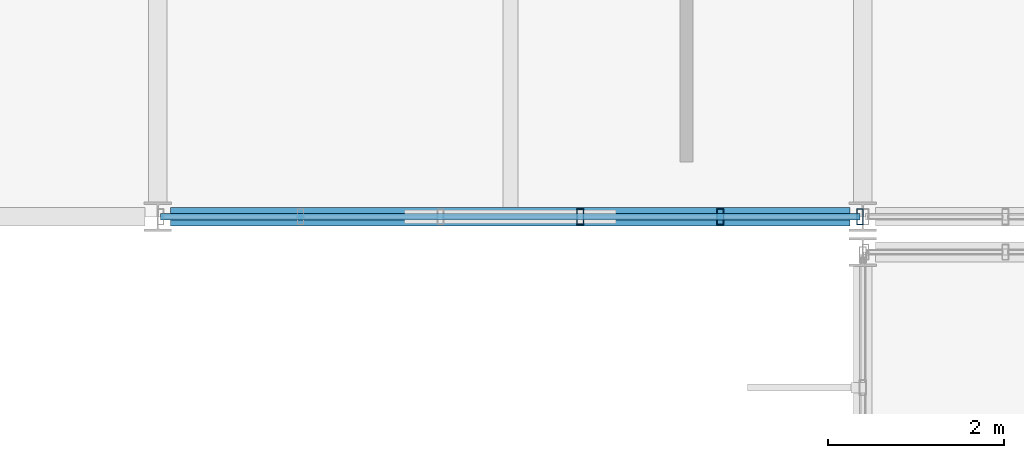
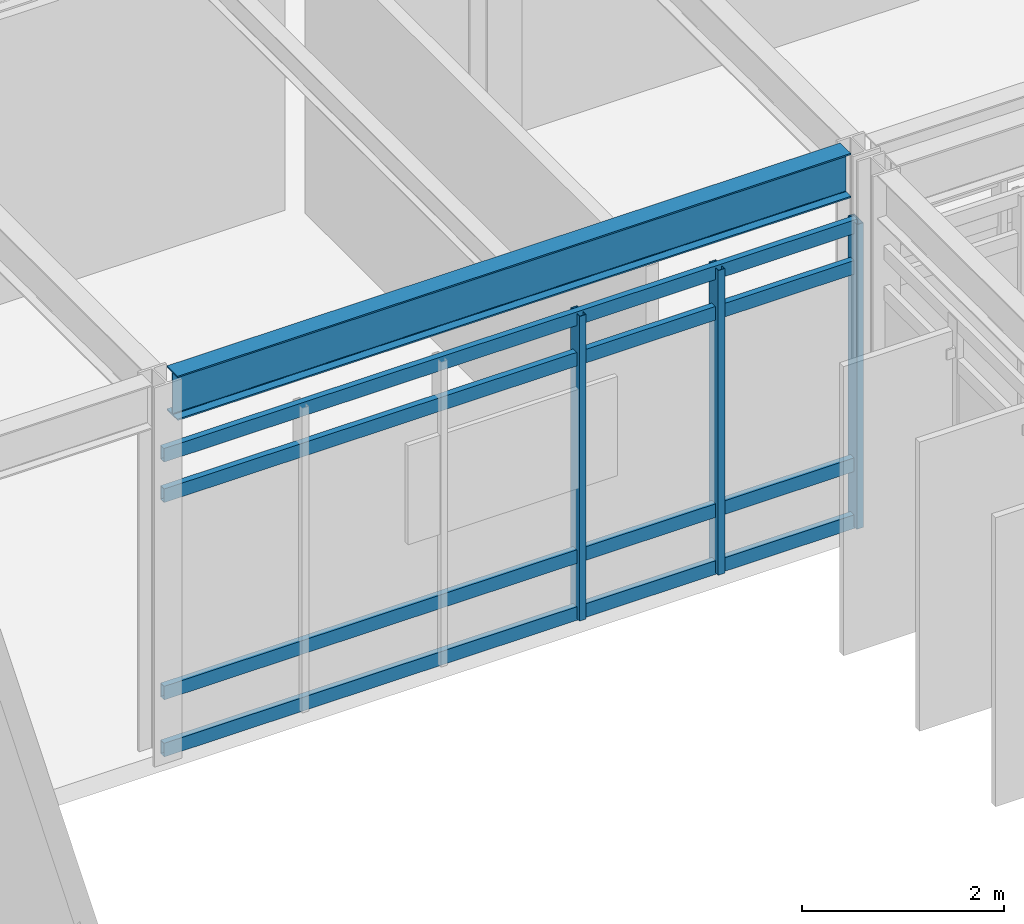
# One storey, part 33 of 104: 7 members, 1 beam, 1 element without a shape of its own.
"""IFC4 building model written with IfcOpenShell, lengths in metres."""

from ifc_helpers import new_model, si_unit, direction, frame, origin, origin_2d, place, context, subcontext, project, spatial, hollow_rectangle, i_section, extrude, material, material_profile, profile_set, type_object, element, aggregate, save


model = new_model("IFC4")

# Units and contexts
model_context = context("Model", 3, precision=1e-05, world=origin(), true_north=direction((0.0, 1.0)))
body_context = subcontext(model_context, "Body", "Model", "MODEL_VIEW")
ifc_project = project(units=[si_unit("LENGTHUNIT", "METRE"), si_unit("AREAUNIT", "SQUARE_METRE"), si_unit("VOLUMEUNIT", "CUBIC_METRE"), si_unit("PLANEANGLEUNIT", "RADIAN"), si_unit("MASSUNIT", "GRAM", prefix="KILO")], contexts=[model_context])

# Site, building, storey
site_placement = place(None, origin())
site = spatial("IfcSite", under=ifc_project, at=site_placement, CompositionType="ELEMENT")
building_placement = place(site_placement, origin())
building = spatial("IfcBuilding", under=site, at=building_placement, Name="Zulena Civic Courthouse", CompositionType="ELEMENT")
storey_placement = place(building_placement, frame((0.0, 0.0, 10.800048828125)))
storey = spatial("IfcBuildingStorey", under=building, at=storey_placement, Name="L02", CompositionType="ELEMENT", Elevation=10.800048828125)

# Curtain wall, members
ifc_material_1 = material(Name="Double-silver low-E laminated solar-control glass", Category="glass")
curtain_wall_type = type_object("IfcCurtainWallType", Name="CW_7940x3690", PredefinedType="USERDEFINED", material=ifc_material_1)
curtain_wall_placement = place(storey_placement, origin())
curtain_wall = element("IfcCurtainWall", 1, at=curtain_wall_placement, inside=storey, type_object=curtain_wall_type, Name="cw:V5:L02:5:5", ObjectType="UNITISED CURTAIN WALL", PredefinedType="USERDEFINED")
ifc_material_2 = material(Name="Bronze anodised thermally broken aluminium AA6063-T6", Category="aluminium")
ifc_material_profile_1 = material_profile(ifc_material_2, hollow_rectangle(XDim=0.074951171875, YDim=0.179931640625, WallThickness=0.0048828125, at=origin_2d()), Name="CWM180X75X5")
ifc_profile_set_1 = profile_set([ifc_material_profile_1], Name="Bronze anodised thermally broken aluminium AA6063-T6")
member_type_1 = type_object("IfcMemberType", Name="CWMullion_180x75", PredefinedType="MULLION", material=ifc_profile_set_1)
member_1_placement = place(storey_placement, frame((67.969970703125, 46.0, 0.0), z_axis=(0.0, 0.0, 1.0), x_axis=(1.0, 0.0, 0.0)))
member_1 = element("IfcMember", 2, at=member_1_placement, type_object=member_type_1, Name="cw:V5:L02:5:5:mull:0", PredefinedType="MULLION", context=body_context, shape_type="SweptSolid", body=[
    extrude(hollow_rectangle(XDim=0.074951171875, YDim=0.179931640625, WallThickness=0.0048828125, at=origin_2d()), origin(), (0.0, 0.0, 1.0), 3.68994140625),
])
member_2_placement = place(storey_placement, frame((66.382080078125, 46.0, 0.0), z_axis=(0.0, 0.0, 1.0), x_axis=(1.0, 0.0, 0.0)))
member_2 = element("IfcMember", 3, at=member_2_placement, type_object=member_type_1, Name="cw:V5:L02:5:5:mull:1", PredefinedType="MULLION", context=body_context, shape_type="SweptSolid", body=[
    extrude(hollow_rectangle(XDim=0.074951171875, YDim=0.179931640625, WallThickness=0.0048828125, at=origin_2d()), origin(), (0.0, 0.0, 1.0), 3.68994140625),
])
member_3_placement = place(storey_placement, frame((64.7939453125, 46.0, 0.0), z_axis=(0.0, 0.0, 1.0), x_axis=(1.0, 0.0, 0.0)))
member_3 = element("IfcMember", 4, at=member_3_placement, type_object=member_type_1, Name="cw:V5:L02:5:5:mull:2", PredefinedType="MULLION", context=body_context, shape_type="SweptSolid", body=[
    extrude(hollow_rectangle(XDim=0.074951171875, YDim=0.179931640625, WallThickness=0.0048828125, at=origin_2d()), origin(), (0.0, 0.0, 1.0), 3.68994140625),
])
ifc_material_profile_2 = material_profile(ifc_material_2, hollow_rectangle(XDim=0.070068359375, YDim=0.1650390625, WallThickness=0.00390625, at=origin_2d()), Name="CWT165X70X4")
ifc_profile_set_2 = profile_set([ifc_material_profile_2], Name="Bronze anodised thermally broken aluminium AA6063-T6")
member_type_2 = type_object("IfcMemberType", Name="CWTransom_165x70", PredefinedType="USERDEFINED", material=ifc_profile_set_2)
member_4_placement = place(storey_placement, frame((67.969970703125, 46.0, 0.06005859375), z_axis=(-1.0, 0.0, 0.0), x_axis=(0.0, -1.0, 0.0)))
member_4 = element("IfcMember", 5, at=member_4_placement, type_object=member_type_2, Name="cw:V5:L02:5:5:tran:0", ObjectType="TRANSOM", PredefinedType="USERDEFINED", context=body_context, shape_type="SweptSolid", body=[
    extrude(hollow_rectangle(XDim=0.070068359375, YDim=0.1650390625, WallThickness=0.00390625, at=origin_2d()), origin(), (0.0, 0.0, 1.0), 7.93994140625),
])
member_5_placement = place(storey_placement, frame((67.969970703125, 46.0, 0.75), z_axis=(-1.0, 0.0, 0.0), x_axis=(0.0, -1.0, 0.0)))
member_5 = element("IfcMember", 6, at=member_5_placement, type_object=member_type_2, Name="cw:V5:L02:5:5:tran:1", ObjectType="TRANSOM", PredefinedType="USERDEFINED", context=body_context, shape_type="SweptSolid", body=[
    extrude(hollow_rectangle(XDim=0.070068359375, YDim=0.1650390625, WallThickness=0.00390625, at=origin_2d()), origin(), (0.0, 0.0, 1.0), 7.93994140625),
])
member_6_placement = place(storey_placement, frame((67.969970703125, 46.0, 3.139892578125), z_axis=(-1.0, 0.0, 0.0), x_axis=(0.0, -1.0, 0.0)))
member_6 = element("IfcMember", 7, at=member_6_placement, type_object=member_type_2, Name="cw:V5:L02:5:5:tran:2", ObjectType="TRANSOM", PredefinedType="USERDEFINED", context=body_context, shape_type="SweptSolid", body=[
    extrude(hollow_rectangle(XDim=0.070068359375, YDim=0.1650390625, WallThickness=0.00390625, at=origin_2d()), origin(), (0.0, 0.0, 1.0), 7.93994140625),
])
member_7_placement = place(storey_placement, frame((67.969970703125, 46.0, 3.6298828125), z_axis=(-1.0, 0.0, 0.0), x_axis=(0.0, -1.0, 0.0)))
member_7 = element("IfcMember", 8, at=member_7_placement, type_object=member_type_2, Name="cw:V5:L02:5:5:tran:3", ObjectType="TRANSOM", PredefinedType="USERDEFINED", context=body_context, shape_type="SweptSolid", body=[
    extrude(hollow_rectangle(XDim=0.070068359375, YDim=0.1650390625, WallThickness=0.00390625, at=origin_2d()), origin(), (0.0, 0.0, 1.0), 7.93994140625),
])
aggregate(curtain_wall, [member_1, member_2, member_3, member_4, member_5, member_6, member_7])

# Beam
ifc_material_3 = material(Name="Steel ASTM A992 Grade 50", Category="steel")
ifc_material_profile_3 = material_profile(ifc_material_3, i_section(OverallWidth=0.2099609375, OverallDepth=0.537109375, WebThickness=0.010986328125, FlangeThickness=0.017333984375, FilletRadius=0.0126953125, at=origin_2d()), Name="W21X68")
ifc_profile_set_3 = profile_set([ifc_material_profile_3], Name="Steel ASTM A992 Grade 50")
beam_type = type_object("IfcBeamType", Name="Spandrel_W21X68", PredefinedType="SPANDREL", material=ifc_profile_set_3)
beam_placement = place(storey_placement, frame((60.14501953125, 46.0, 4.321533203125), z_axis=(1.0, 0.0, 0.0), x_axis=(0.0, 1.0, 0.0)))
element("IfcBeam", 9, at=beam_placement, inside=storey, type_object=beam_type, Name="beam:X:V5:L02:46.0:60.0_68.0", PredefinedType="SPANDREL", context=body_context, shape_type="SweptSolid", body=[
    extrude(i_section(OverallWidth=0.2099609375, OverallDepth=0.537109375, WebThickness=0.010986328125, FlangeThickness=0.017333984375, FilletRadius=0.0126953125, at=origin_2d()), origin(), (0.0, 0.0, 1.0), 7.7099609375),
])

save(model, "model.ifc")
